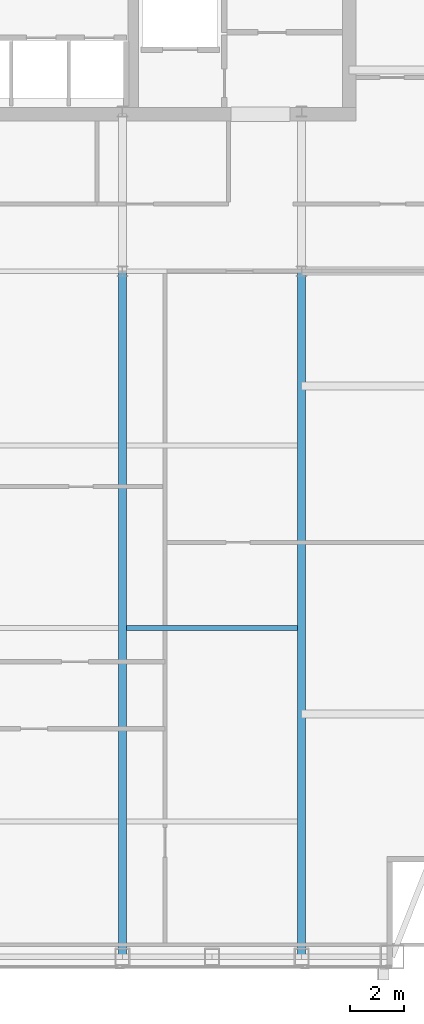
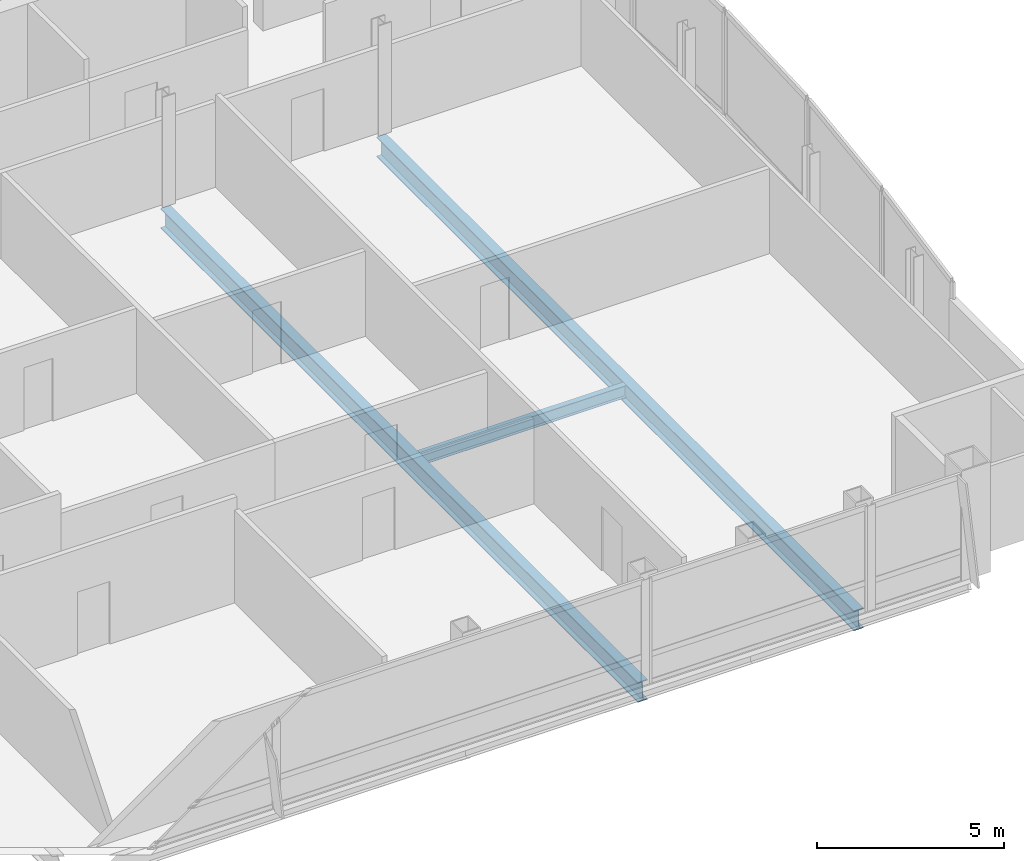
# One storey, part 12 of 25: 3 beams.
"""IFC4 building model written with IfcOpenShell, lengths in metres."""

from ifc_helpers import new_model, si_unit, direction, frame, origin, origin_2d, place, context, subcontext, project, spatial, i_section, extrude, material, material_profile, profile_set, type_object, element, save


model = new_model("IFC4")

# Units and contexts
model_context = context("Model", 3, precision=1e-05, world=origin(), true_north=direction((0.0, 1.0)))
body_context = subcontext(model_context, "Body", "Model", "MODEL_VIEW")
ifc_project = project(units=[si_unit("LENGTHUNIT", "METRE"), si_unit("AREAUNIT", "SQUARE_METRE"), si_unit("VOLUMEUNIT", "CUBIC_METRE"), si_unit("PLANEANGLEUNIT", "RADIAN"), si_unit("MASSUNIT", "GRAM", prefix="KILO")], contexts=[model_context])

# Site, building, storey
site_placement = place(None, origin())
site = spatial("IfcSite", under=ifc_project, at=site_placement, CompositionType="ELEMENT")
building_placement = place(site_placement, origin())
building = spatial("IfcBuilding", under=site, at=building_placement, Name="Khoronbel Lancet Exchange", CompositionType="ELEMENT")
storey_placement = place(building_placement, frame((0.0, 0.0, 295.0)))
storey = spatial("IfcBuildingStorey", under=building, at=storey_placement, Name="L76", CompositionType="ELEMENT", Elevation=295.0)

# Beams
ifc_material = material(Name="Steel S355", Category="steel")
ifc_material_profile_1 = material_profile(ifc_material, i_section(OverallWidth=0.300048828125, OverallDepth=0.64990234375, WebThickness=0.01611328125, FlangeThickness=0.031005859375, at=origin_2d()), Name="HEB 650")
ifc_profile_set_1 = profile_set([ifc_material_profile_1], Name="Steel S355")
beam_type_1 = type_object("IfcBeamType", Name="BM-BG4", PredefinedType="BEAM", material=ifc_profile_set_1)
for number, where, z_axis, x_axis, name in (
    (1, (48.0, 10.14990234375, -0.485107421875), (0.0, 1.0, 0.0), (-1.0, 0.0, 0.0), "Level L76 south primary girder GS5"),
    (2, (54.675048828125, 10.14990234375, -0.485107421875), (0.0, 1.0, 0.0), (-1.0, 0.0, 0.0), "Level L76 south primary girder GS6"),
):
    element("IfcBeam", number, at=place(storey_placement, frame(where, z_axis=z_axis, x_axis=x_axis)), inside=storey, type_object=beam_type_1, Name=name, PredefinedType="BEAM", context=body_context, shape_type="SweptSolid", body=[
        extrude(i_section(OverallWidth=0.300048828125, OverallDepth=0.64990234375, WebThickness=0.01611328125, FlangeThickness=0.031005859375, at=origin_2d()), origin(), (0.0, 0.0, 1.0), 25.550048828125),
    ])
ifc_material_profile_2 = material_profile(ifc_material, i_section(OverallWidth=0.179931640625, OverallDepth=0.39990234375, WebThickness=0.008544921875, FlangeThickness=0.013427734375, at=origin_2d()), Name="IPE 400")
ifc_profile_set_2 = profile_set([ifc_material_profile_2], Name="Steel S355")
beam_type_2 = type_object("IfcBeamType", Name="BM-BJ5", PredefinedType="JOIST", material=ifc_profile_set_2)
beam_placement = place(storey_placement, frame((48.14990234375, 22.39990234375, -0.360107421875), z_axis=(1.0, 0.0, 0.0), x_axis=(0.0, 1.0, 0.0)))
element("IfcBeam", 3, at=beam_placement, inside=storey, type_object=beam_type_2, Name="Level L76 secondary composite joist J10", PredefinedType="JOIST", context=body_context, shape_type="SweptSolid", body=[
    extrude(i_section(OverallWidth=0.179931640625, OverallDepth=0.39990234375, WebThickness=0.008544921875, FlangeThickness=0.013427734375, at=origin_2d()), origin(), (0.0, 0.0, 1.0), 6.375),
])

save(model, "model.ifc")
